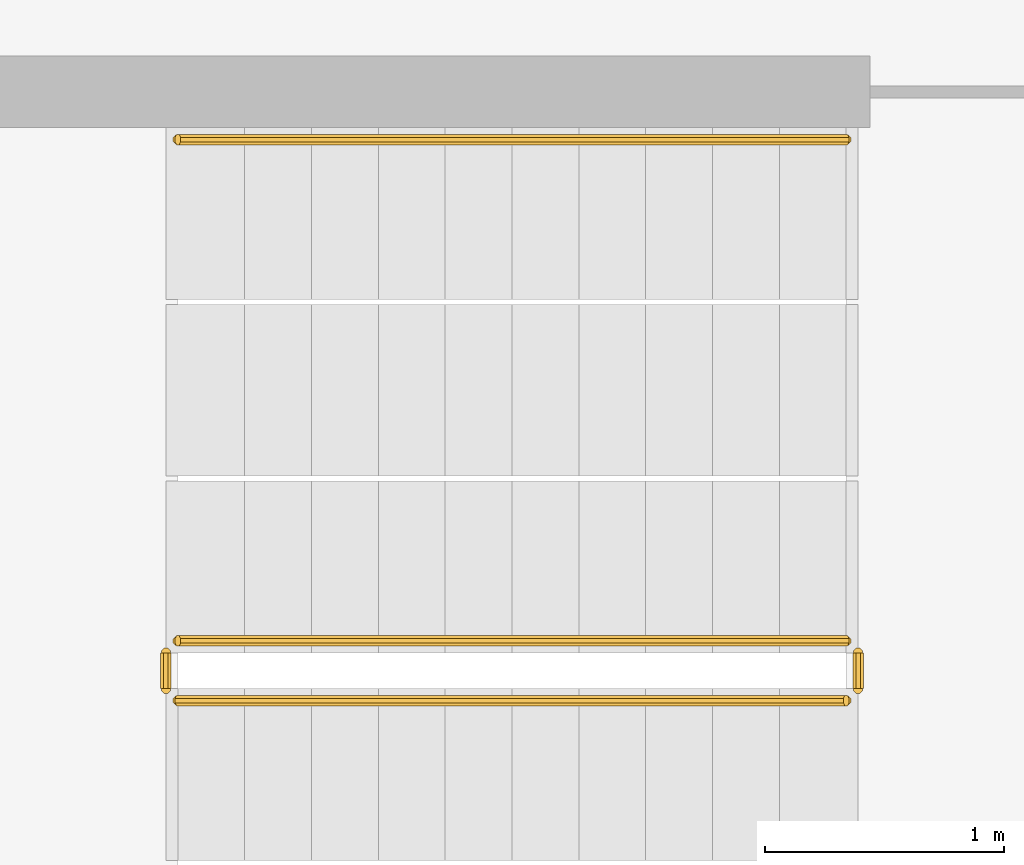
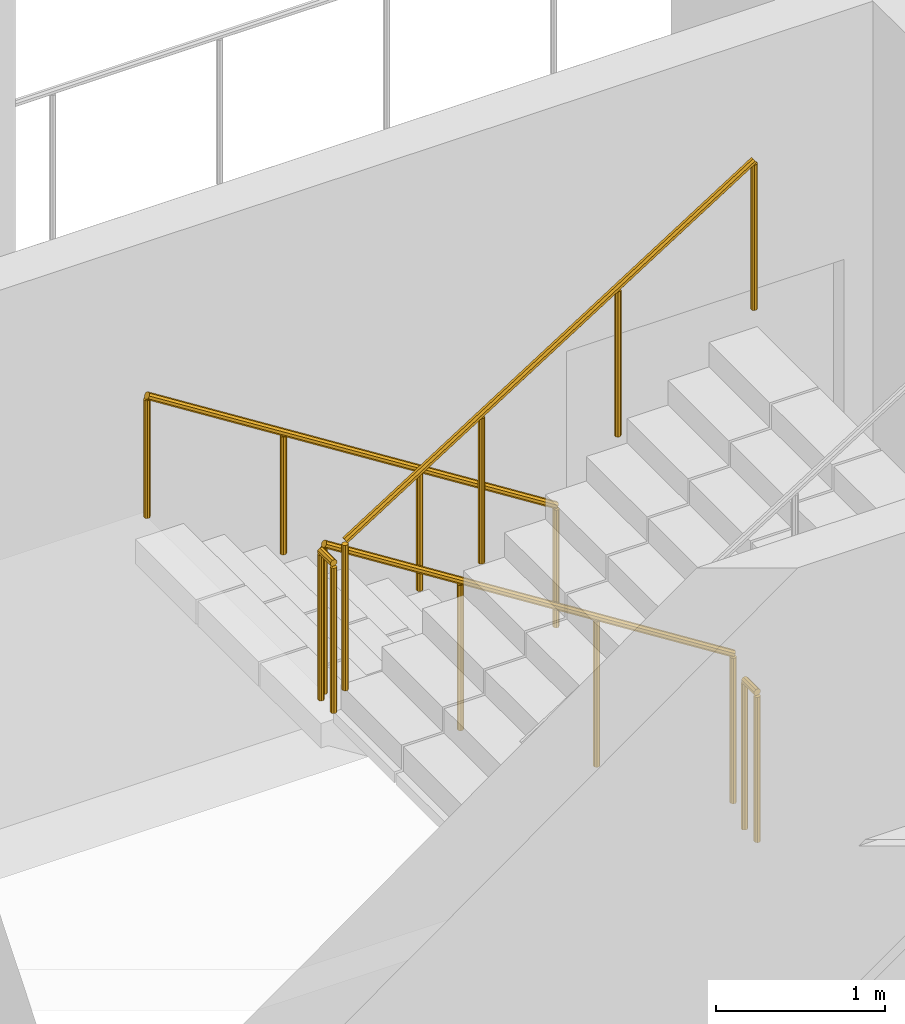
# One storey, part 19 of 26: 5 railings.
"""IFC4 building model written with IfcOpenShell, lengths in metres."""

from ifc_helpers import new_model, si_unit, direction, frame, origin, place, context, subcontext, project, spatial, polyline, outline, extrude, material, type_object, element, save


model = new_model("IFC4")

# Units and contexts
model_context = context("Model", 3, precision=1e-05, world=origin(), true_north=direction((0.0, 1.0)))
body_context = subcontext(model_context, "Body", "Model", "MODEL_VIEW")
ifc_project = project(units=[si_unit("LENGTHUNIT", "METRE"), si_unit("AREAUNIT", "SQUARE_METRE"), si_unit("VOLUMEUNIT", "CUBIC_METRE"), si_unit("PLANEANGLEUNIT", "RADIAN"), si_unit("MASSUNIT", "GRAM", prefix="KILO")], contexts=[model_context])

# Site, building, storey
site_placement = place(None, origin())
site = spatial("IfcSite", under=ifc_project, at=site_placement, CompositionType="ELEMENT")
building_placement = place(site_placement, origin())
building = spatial("IfcBuilding", under=site, at=building_placement, Name="Cormorant Relay Tower", CompositionType="ELEMENT")
storey_placement = place(building_placement, frame((0.0, 0.0, 228.60009765625)))
storey = spatial("IfcBuildingStorey", under=building, at=storey_placement, Name="L50", CompositionType="ELEMENT", Elevation=228.60009765625)

# Railings
ifc_material_1 = material(Name="Steel ASTM A572 Grade 50 (Fy 345 MPa)", Category="steel")
railing_type_1 = type_object("IfcRailingType", Name="Stair guard 1100", PredefinedType="GUARDRAIL", material=ifc_material_1)
railing_1_placement = place(storey_placement, frame((1.60009765625, -18.27490234375, 0.17724609375)))
element("IfcRailing", 1, at=railing_1_placement, inside=storey, type_object=railing_type_1, Name="L50 RK1 stair guard 1", PredefinedType="GUARDRAIL", context=body_context, shape_type="SweptSolid", body=[
    extrude(outline(polyline([(0.022216796875, 0.00927734375), (0.00927734375, 0.022216796875), (-0.00927734375, 0.022216796875), (-0.022216796875, 0.00927734375), (-0.022216796875, -0.00927734375), (-0.00927734375, -0.022216796875), (0.00927734375, -0.022216796875), (0.022216796875, -0.00927734375), (0.022216796875, 0.00927734375)])), frame((0.0, 0.0, 1.076171875), z_axis=(-0.844908973607, 0.0, 0.534910110503), x_axis=(0.0, -1.0, 0.0)), (0.0, 0.0, 1.0), 3.31396484375),
    extrude(outline(polyline([(0.019287109375, 0.008056640625), (0.008056640625, 0.019287109375), (-0.008056640625, 0.019287109375), (-0.019287109375, 0.008056640625), (-0.019287109375, -0.008056640625), (-0.008056640625, -0.019287109375), (0.008056640625, -0.019287109375), (0.019287109375, -0.008056640625), (0.019287109375, 0.008056640625)])), origin(), (0.0, 0.0, 1.0), 1.052001953125),
    extrude(outline(polyline([(0.019287109375, 0.008056640625), (0.008056640625, 0.019287109375), (-0.008056640625, 0.019287109375), (-0.019287109375, 0.008056640625), (-0.019287109375, -0.008056640625), (-0.008056640625, -0.019287109375), (0.008056640625, -0.019287109375), (0.019287109375, -0.008056640625), (0.019287109375, 0.008056640625)])), frame((-0.933349609375, 0.0, 0.5908203125)), (0.0, 0.0, 1.0), 1.052001953125),
    extrude(outline(polyline([(0.019287109375, 0.008056640625), (0.008056640625, 0.019287109375), (-0.008056640625, 0.019287109375), (-0.019287109375, 0.008056640625), (-0.019287109375, -0.008056640625), (-0.008056640625, -0.019287109375), (0.008056640625, -0.019287109375), (0.019287109375, -0.008056640625), (0.019287109375, 0.008056640625)])), frame((-1.86669921875, 0.0, 1.181884765625)), (0.0, 0.0, 1.0), 1.052001953125),
    extrude(outline(polyline([(0.019287109375, 0.008056640625), (0.008056640625, 0.019287109375), (-0.008056640625, 0.019287109375), (-0.019287109375, 0.008056640625), (-0.019287109375, -0.008056640625), (-0.008056640625, -0.019287109375), (0.008056640625, -0.019287109375), (0.019287109375, -0.008056640625), (0.019287109375, 0.008056640625)])), frame((-2.800048828125, 0.0, 1.772705078125)), (0.0, 0.0, 1.0), 1.052001953125),
])
railing_2_placement = place(storey_placement, frame((-1.25, -18.324951171875, 1.949951171875)))
element("IfcRailing", 2, at=railing_2_placement, inside=storey, type_object=railing_type_1, Name="L50 RK1 stair guard 2", PredefinedType="GUARDRAIL", context=body_context, shape_type="SweptSolid", body=[
    extrude(outline(polyline([(0.022216796875, 0.00927734375), (0.00927734375, 0.022216796875), (-0.00927734375, 0.022216796875), (-0.022216796875, 0.00927734375), (-0.022216796875, -0.00927734375), (-0.00927734375, -0.022216796875), (0.00927734375, -0.022216796875), (0.022216796875, -0.00927734375), (0.022216796875, 0.00927734375)])), frame((0.0, 0.0, 1.076171875), z_axis=(0.0, -1.0, 0.0), x_axis=(1.0, 0.0, 0.0)), (0.0, 0.0, 1.0), 0.150146484375),
    extrude(outline(polyline([(0.019287109375, 0.008056640625), (0.008056640625, 0.019287109375), (-0.008056640625, 0.019287109375), (-0.019287109375, 0.008056640625), (-0.019287109375, -0.008056640625), (-0.008056640625, -0.019287109375), (0.008056640625, -0.019287109375), (0.019287109375, -0.008056640625), (0.019287109375, 0.008056640625)])), origin(), (0.0, 0.0, 1.0), 1.052001953125),
    extrude(outline(polyline([(0.019287109375, 0.008056640625), (0.008056640625, 0.019287109375), (-0.008056640625, 0.019287109375), (-0.019287109375, 0.008056640625), (-0.019287109375, -0.008056640625), (-0.008056640625, -0.019287109375), (0.008056640625, -0.019287109375), (0.019287109375, -0.008056640625), (0.019287109375, 0.008056640625)])), frame((0.0, -0.150146484375, 0.0)), (0.0, 0.0, 1.0), 1.052001953125),
])
railing_3_placement = place(storey_placement, frame((-1.199951171875, -18.52490234375, 2.127197265625)))
element("IfcRailing", 3, at=railing_3_placement, inside=storey, type_object=railing_type_1, Name="L50 RK1 stair guard 3", PredefinedType="GUARDRAIL", context=body_context, shape_type="SweptSolid", body=[
    extrude(outline(polyline([(0.022216796875, 0.00927734375), (0.00927734375, 0.022216796875), (-0.00927734375, 0.022216796875), (-0.022216796875, 0.00927734375), (-0.022216796875, -0.00927734375), (-0.00927734375, -0.022216796875), (0.00927734375, -0.022216796875), (0.022216796875, -0.00927734375), (0.022216796875, 0.00927734375)])), frame((0.0, 0.0, 1.076171875), z_axis=(0.844908973607, 0.0, 0.534910110503), x_axis=(0.0, 1.0, 0.0)), (0.0, 0.0, 1.0), 3.31396484375),
    extrude(outline(polyline([(0.019287109375, 0.008056640625), (0.008056640625, 0.019287109375), (-0.008056640625, 0.019287109375), (-0.019287109375, 0.008056640625), (-0.019287109375, -0.008056640625), (-0.008056640625, -0.019287109375), (0.008056640625, -0.019287109375), (0.019287109375, -0.008056640625), (0.019287109375, 0.008056640625)])), origin(), (0.0, 0.0, 1.0), 1.052001953125),
    extrude(outline(polyline([(0.019287109375, 0.008056640625), (0.008056640625, 0.019287109375), (-0.008056640625, 0.019287109375), (-0.019287109375, 0.008056640625), (-0.019287109375, -0.008056640625), (-0.008056640625, -0.019287109375), (0.008056640625, -0.019287109375), (0.019287109375, -0.008056640625), (0.019287109375, 0.008056640625)])), frame((0.933349609375, 0.0, 0.5908203125)), (0.0, 0.0, 1.0), 1.052001953125),
    extrude(outline(polyline([(0.019287109375, 0.008056640625), (0.008056640625, 0.019287109375), (-0.008056640625, 0.019287109375), (-0.019287109375, 0.008056640625), (-0.019287109375, -0.008056640625), (-0.008056640625, -0.019287109375), (0.008056640625, -0.019287109375), (0.019287109375, -0.008056640625), (0.019287109375, 0.008056640625)])), frame((1.86669921875, 0.0, 1.181884765625)), (0.0, 0.0, 1.0), 1.052001953125),
    extrude(outline(polyline([(0.019287109375, 0.008056640625), (0.008056640625, 0.019287109375), (-0.008056640625, 0.019287109375), (-0.019287109375, 0.008056640625), (-0.019287109375, -0.008056640625), (-0.008056640625, -0.019287109375), (0.008056640625, -0.019287109375), (0.019287109375, -0.008056640625), (0.019287109375, 0.008056640625)])), frame((2.800048828125, 0.0, 1.772705078125)), (0.0, 0.0, 1.0), 1.052001953125),
])
railing_4_placement = place(storey_placement, frame((1.64990234375, -18.324951171875, 0.0)))
element("IfcRailing", 4, at=railing_4_placement, inside=storey, type_object=railing_type_1, Name="L50 RK1 stair guard 4", PredefinedType="GUARDRAIL", context=body_context, shape_type="SweptSolid", body=[
    extrude(outline(polyline([(0.022216796875, 0.00927734375), (0.00927734375, 0.022216796875), (-0.00927734375, 0.022216796875), (-0.022216796875, 0.00927734375), (-0.022216796875, -0.00927734375), (-0.00927734375, -0.022216796875), (0.00927734375, -0.022216796875), (0.022216796875, -0.00927734375), (0.022216796875, 0.00927734375)])), frame((0.0, 0.0, 1.076171875), z_axis=(0.0, -1.0, 0.0), x_axis=(1.0, 0.0, 0.0)), (0.0, 0.0, 1.0), 0.150146484375),
    extrude(outline(polyline([(0.019287109375, 0.008056640625), (0.008056640625, 0.019287109375), (-0.008056640625, 0.019287109375), (-0.019287109375, 0.008056640625), (-0.019287109375, -0.008056640625), (-0.008056640625, -0.019287109375), (0.008056640625, -0.019287109375), (0.019287109375, -0.008056640625), (0.019287109375, 0.008056640625)])), origin(), (0.0, 0.0, 1.0), 1.052001953125),
    extrude(outline(polyline([(0.019287109375, 0.008056640625), (0.008056640625, 0.019287109375), (-0.008056640625, 0.019287109375), (-0.019287109375, 0.008056640625), (-0.019287109375, -0.008056640625), (-0.008056640625, -0.019287109375), (0.008056640625, -0.019287109375), (0.019287109375, -0.008056640625), (0.019287109375, 0.008056640625)])), frame((0.0, -0.150146484375, 0.0)), (0.0, 0.0, 1.0), 1.052001953125),
])
ifc_material_2 = material(Name="Steel ASTM A572 Grade 50 (Fy 345 MPa)", Category="steel")
railing_type_2 = type_object("IfcRailingType", Name="Stair handrail 900", PredefinedType="HANDRAIL", material=ifc_material_2)
railing_5_placement = place(storey_placement, frame((1.60009765625, -16.175048828125, 0.17724609375)))
element("IfcRailing", 5, at=railing_5_placement, inside=storey, type_object=railing_type_2, Name="L50 RK1 stair handrail 1", PredefinedType="HANDRAIL", context=body_context, shape_type="SweptSolid", body=[
    extrude(outline(polyline([(0.022216796875, 0.00927734375), (0.00927734375, 0.022216796875), (-0.00927734375, 0.022216796875), (-0.022216796875, 0.00927734375), (-0.022216796875, -0.00927734375), (-0.00927734375, -0.022216796875), (0.00927734375, -0.022216796875), (0.022216796875, -0.00927734375), (0.022216796875, 0.00927734375)])), frame((0.0, 0.0, 0.8759765625), z_axis=(-0.844908973607, 0.0, 0.534910110503), x_axis=(0.0, -1.0, 0.0)), (0.0, 0.0, 1.0), 3.31396484375),
    extrude(outline(polyline([(0.019287109375, 0.008056640625), (0.008056640625, 0.019287109375), (-0.008056640625, 0.019287109375), (-0.019287109375, 0.008056640625), (-0.019287109375, -0.008056640625), (-0.008056640625, -0.019287109375), (0.008056640625, -0.019287109375), (0.019287109375, -0.008056640625), (0.019287109375, 0.008056640625)])), origin(), (0.0, 0.0, 1.0), 0.851806640625),
    extrude(outline(polyline([(0.019287109375, 0.008056640625), (0.008056640625, 0.019287109375), (-0.008056640625, 0.019287109375), (-0.019287109375, 0.008056640625), (-0.019287109375, -0.008056640625), (-0.008056640625, -0.019287109375), (0.008056640625, -0.019287109375), (0.019287109375, -0.008056640625), (0.019287109375, 0.008056640625)])), frame((-0.933349609375, 0.0, 0.5908203125)), (0.0, 0.0, 1.0), 0.851806640625),
    extrude(outline(polyline([(0.019287109375, 0.008056640625), (0.008056640625, 0.019287109375), (-0.008056640625, 0.019287109375), (-0.019287109375, 0.008056640625), (-0.019287109375, -0.008056640625), (-0.008056640625, -0.019287109375), (0.008056640625, -0.019287109375), (0.019287109375, -0.008056640625), (0.019287109375, 0.008056640625)])), frame((-1.86669921875, 0.0, 1.181884765625)), (0.0, 0.0, 1.0), 0.851806640625),
    extrude(outline(polyline([(0.019287109375, 0.008056640625), (0.008056640625, 0.019287109375), (-0.008056640625, 0.019287109375), (-0.019287109375, 0.008056640625), (-0.019287109375, -0.008056640625), (-0.008056640625, -0.019287109375), (0.008056640625, -0.019287109375), (0.019287109375, -0.008056640625), (0.019287109375, 0.008056640625)])), frame((-2.800048828125, 0.0, 1.772705078125)), (0.0, 0.0, 1.0), 0.851806640625),
])

save(model, "model.ifc")
